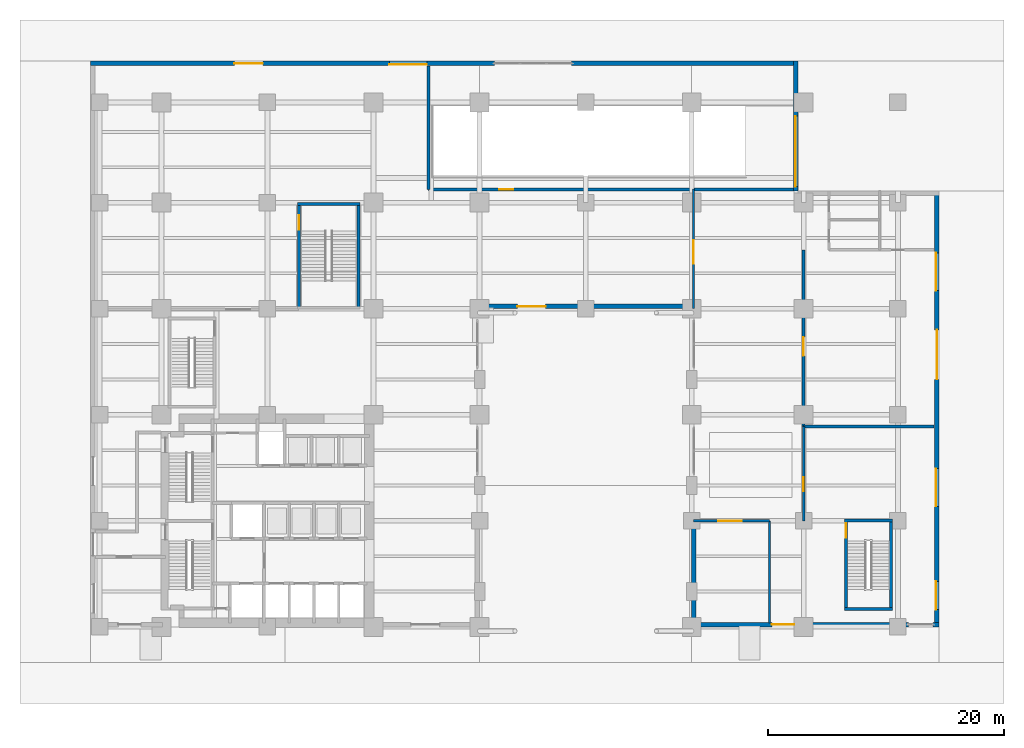
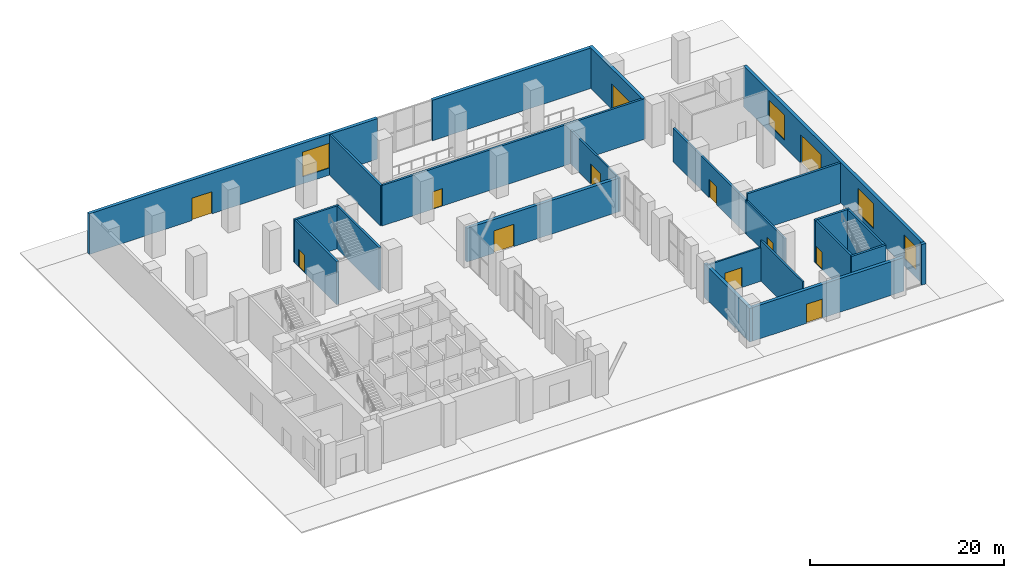
# One storey, part 13 of 17: 23 walls, 12 doors, 4 windows, 16 openings.
"""IFC4 building model written with IfcOpenShell, lengths in metres."""

import ifcopenshell
import ifcopenshell.guid

model = None  # the IFC model being written
_history = None  # IfcOwnerHistory: only IFC2X3 demands one
_inside = {}  # id of a spatial element -> (the spatial element, [elements in it])
_under = {}  # id of a project, library or spatial element -> (it, [spatial elements below it])
_declared = {}  # id of a project -> (the project, [libraries it declares])
_typed = {}  # id of a type object -> (the type object, [elements of that type])
_made_of = {}  # id of a material, layer set ... -> (it, [elements and type objects made of it])


def new_model(schema):
    """Start an empty IFC model of exactly this schema.

    Asked for "IFC4X3", IfcOpenShell would pick the latest addendum, in which some entities
    have other attributes; the version numbers below select the first issue.
    IFC2X3 requires an IfcOwnerHistory on every rooted entity: one is made here for all.
    """
    global model, _history
    if schema == "IFC4X3":
        model = ifcopenshell.file(schema_version=(4, 3, 0, 0))
    else:
        model = ifcopenshell.file(schema=schema)
    _inside.clear()
    _under.clear()
    _declared.clear()
    _typed.clear()
    _made_of.clear()
    _history = None
    if model.schema == "IFC2X3":
        org = make("IfcOrganization", Name="unknown")
        user = make(
            "IfcPersonAndOrganization",
            ThePerson=make("IfcPerson", FamilyName="unknown"),
            TheOrganization=org,
        )
        app = make(
            "IfcApplication",
            ApplicationDeveloper=org,
            Version="unknown",
            ApplicationFullName="unknown",
            ApplicationIdentifier="unknown",
        )
        _history = make(
            "IfcOwnerHistory",
            OwningUser=user,
            OwningApplication=app,
            ChangeAction="ADDED",
            CreationDate=0,
        )
    return model


def make(cls, **values):
    """One entity of the class cls with the attributes given. An attribute that is None is left unset."""
    return model.create_entity(
        cls, **{name: value for name, value in values.items() if value is not None}
    )


def rooted(cls, **values):
    """An entity with a GlobalId (a new one), such as an element, a storey or a relation."""
    return make(cls, GlobalId=ifcopenshell.guid.new(), OwnerHistory=_history, **values)


def si_unit(unit_type, name, prefix=None):
    """IfcSIUnit, for example si_unit("LENGTHUNIT", "METRE", prefix="MILLI")."""
    return make("IfcSIUnit", UnitType=unit_type, Prefix=prefix, Name=name)


def assignment(units):
    """IfcUnitAssignment: the units of a project."""
    return None if units is None else make("IfcUnitAssignment", Units=units)


def point(xyz):
    """IfcCartesianPoint."""
    return None if xyz is None else make("IfcCartesianPoint", Coordinates=xyz)


def direction(xyz):
    """IfcDirection."""
    return None if xyz is None else make("IfcDirection", DirectionRatios=xyz)


def frame(location, z_axis=None, x_axis=None):
    """IfcAxis2Placement3D, a coordinate frame: its origin and axes. An axis left out is left unset."""
    return make(
        "IfcAxis2Placement3D",
        Location=point(location),
        Axis=direction(z_axis),
        RefDirection=direction(x_axis),
    )


def frame_2d(location, x_axis=None):
    """IfcAxis2Placement2D, a coordinate frame in the plane: its origin and x axis."""
    return make(
        "IfcAxis2Placement2D", Location=point(location), RefDirection=direction(x_axis)
    )


def origin():
    """The frame at (0, 0, 0) with its axes left unset."""
    return frame((0.0, 0.0, 0.0))


def place(relative_to, where):
    """IfcLocalPlacement: puts the frame where relative to a parent placement (None: the world)."""
    return make(
        "IfcLocalPlacement", PlacementRelTo=relative_to, RelativePlacement=where
    )


def context(
    kind, dimensions, precision=None, world=None, true_north=None, identifier=None
):
    """IfcGeometricRepresentationContext, for example the 3D "Model" context."""
    return make(
        "IfcGeometricRepresentationContext",
        ContextIdentifier=identifier,
        ContextType=kind,
        CoordinateSpaceDimension=dimensions,
        Precision=precision,
        WorldCoordinateSystem=world,
        TrueNorth=true_north,
    )


def subcontext(parent, identifier, kind, view, scale=None):
    """IfcGeometricRepresentationSubContext, for example "Body" below "Model"."""
    return make(
        "IfcGeometricRepresentationSubContext",
        ContextIdentifier=identifier,
        ContextType=kind,
        ParentContext=parent,
        TargetScale=scale,
        TargetView=view,
    )


def project(units=None, contexts=None):
    """IfcProject with its units and contexts."""
    return rooted(
        "IfcProject",
        Name="project",
        RepresentationContexts=contexts,
        UnitsInContext=assignment(units),
    )


def spatial(cls, under=None, at=None, **own):
    """A site, building, storey or space (cls), placed at a placement, below another one or the project."""
    s = rooted(cls, ObjectPlacement=at, **own)
    if under is not None:
        _under.setdefault(under.id(), (under, []))[1].append(s)
    return s


def profile(cls, at=None, kind="AREA", **sizes):
    """A parametric profile (cls). Its sizes go by their IFC names, for example OverallWidth=200.0."""
    return make(cls, ProfileType=kind, Position=at, **sizes)


def rectangle(**sizes):
    """IfcRectangleProfileDef."""
    return profile("IfcRectangleProfileDef", **sizes)


def extrude(swept, where, along, depth):
    """IfcExtrudedAreaSolid: the profile swept, set in the frame where, extruded along a direction by depth."""
    return make(
        "IfcExtrudedAreaSolid",
        SweptArea=swept,
        Position=where,
        ExtrudedDirection=direction(along),
        Depth=depth,
    )


def shape(context_of_items, identifier, shape_type, items):
    """IfcShapeRepresentation: the items that make up one representation, for example the "Body"."""
    return make(
        "IfcShapeRepresentation",
        ContextOfItems=context_of_items,
        RepresentationIdentifier=identifier,
        RepresentationType=shape_type,
        Items=items,
    )


def material(Name=None, Category=None):
    """IfcMaterial."""
    return make("IfcMaterial", Name=Name, Category=Category)


def layer(
    of_material, thickness, ventilated=None, Name=None, Category=None, Priority=None
):
    """IfcMaterialLayer: one layer of a wall or slab, of a material (None: an air gap)."""
    return make(
        "IfcMaterialLayer",
        Material=of_material,
        LayerThickness=thickness,
        IsVentilated=ventilated,
        Name=Name,
        Category=Category,
        Priority=Priority,
    )


def layer_set(layers, Name=None):
    """IfcMaterialLayerSet."""
    return make("IfcMaterialLayerSet", MaterialLayers=layers, LayerSetName=Name)


def made_of(thing, what):
    """Note that an element or type object is made of a material, layer set ...; save() writes the relation."""
    if what is not None:
        _made_of.setdefault(what.id(), (what, []))[1].append(thing)
    return thing


def type_object(cls, material=None, **own):
    """A type object (cls), such as IfcWallType, which elements share."""
    return made_of(rooted(cls, **own), material)


def element(
    cls,
    number,
    at=None,
    inside=None,
    cuts=None,
    type_object=None,
    material=None,
    context=None,
    identifier="Body",
    shape_type=None,
    held_by="IfcProductDefinitionShape",
    body=None,
    shapes=None,
    **own,
):
    """One element of the class cls, such as IfcWall. Its Tag is "e" and its number.

    at: its placement. inside: the storey or other place that contains it. cuts: it is an
    opening in that element (IfcRelVoidsElement). A single representation is given by context,
    identifier, shape_type and body (its items); several are given by shapes. held_by: the class
    of the entity that holds the representations. save() writes the other relations.
    """
    e = rooted(cls, Tag="e%d" % number, ObjectPlacement=at, **own)
    if body is not None:
        shapes = [shape(context, identifier, shape_type, body)]
    if shapes is not None:
        e.Representation = make(held_by, Representations=shapes)
    if inside is not None:
        _inside.setdefault(inside.id(), (inside, []))[1].append(e)
    if cuts is not None:
        rooted(
            "IfcRelVoidsElement", RelatingBuildingElement=cuts, RelatedOpeningElement=e
        )
    if type_object is not None:
        _typed.setdefault(type_object.id(), (type_object, []))[1].append(e)
    return made_of(e, material)


def fill(opening, filler):
    """IfcRelFillsElement: the door or window that sits in an opening."""
    return rooted(
        "IfcRelFillsElement",
        RelatingOpeningElement=opening,
        RelatedBuildingElement=filler,
    )


def aggregate(whole, parts):
    """IfcRelAggregates: a whole, such as a stair, and the parts it consists of."""
    return rooted("IfcRelAggregates", RelatingObject=whole, RelatedObjects=parts)


def save(model, path):
    """Write the relations noted so far, then the file.

    IfcRelAggregates (storeys below a building ...), IfcRelContainedInSpatialStructure (elements
    in a storey), IfcRelDefinesByType, IfcRelAssociatesMaterial and IfcRelDeclares: one each for
    every whole, place, type object, material and project.
    """
    for whole, parts in _under.values():
        aggregate(whole, parts)
    for where, things in _inside.values():
        rooted(
            "IfcRelContainedInSpatialStructure",
            RelatedElements=things,
            RelatingStructure=where,
        )
    for kind, things in _typed.values():
        rooted("IfcRelDefinesByType", RelatedObjects=things, RelatingType=kind)
    for what, things in _made_of.values():
        rooted("IfcRelAssociatesMaterial", RelatedObjects=things, RelatingMaterial=what)
    for by, libraries in _declared.values():
        rooted("IfcRelDeclares", RelatingContext=by, RelatedDefinitions=libraries)
    model.write(path)


model = new_model("IFC4")

# Units and contexts
model_context = context("Model", 3, precision=1e-05, world=origin(), true_north=direction((0.0, 1.0)))
body_context = subcontext(model_context, "Body", "Model", "MODEL_VIEW")
ifc_project = project(units=[si_unit("LENGTHUNIT", "METRE"), si_unit("AREAUNIT", "SQUARE_METRE"), si_unit("VOLUMEUNIT", "CUBIC_METRE"), si_unit("PLANEANGLEUNIT", "RADIAN"), si_unit("MASSUNIT", "GRAM", prefix="KILO")], contexts=[model_context])

# Site, building, storey
site_placement = place(None, origin())
site = spatial("IfcSite", under=ifc_project, at=site_placement, CompositionType="ELEMENT")
building_placement = place(site_placement, origin())
building = spatial("IfcBuilding", under=site, at=building_placement, Name="Mawjdan Bourse Tower", CompositionType="ELEMENT")
storey_placement = place(building_placement, origin())
storey = spatial("IfcBuildingStorey", under=building, at=storey_placement, Name="L00", CompositionType="ELEMENT", Elevation=0.0)

# Wall, opening, door
ifc_material_1 = material(Name="Brick Masonry Terracotta Red", Category="masonry")
ifc_layer_1 = layer(ifc_material_1, 0.3798828125)
ifc_layer_set_1 = layer_set([ifc_layer_1], Name="Brick Masonry Terracotta Red")
wall_type_1 = type_object("IfcWallType", Name="WL-BRK-RED-380", PredefinedType="STANDARD", material=ifc_layer_set_1)
wall_1_placement = place(storey_placement, frame((33.0, 30.18994140625, 0.0), z_axis=(0.0, 0.0, 1.0), x_axis=(1.0, 0.0, 0.0)))
wall_1 = element("IfcWall", 1, at=wall_1_placement, inside=storey, type_object=wall_type_1, Name="L00 Podium Brick Wall ARCH-NB", PredefinedType="STANDARD", context=body_context, shape_type="SweptSolid", body=[
    extrude(rectangle(XDim=18.0, YDim=0.3798828125, at=frame_2d((9.0, 0.0))), origin(), (0.0, 0.0, 1.0), 4.23388671875),
])
opening_1_placement = place(wall_1_placement, frame((3.199951171875, 0.0, 0.0)))
opening_1 = element("IfcOpeningElement", 2, at=opening_1_placement, cuts=wall_1, Name="Opening ED-L00-03", PredefinedType="OPENING", context=body_context, shape_type="SweptSolid", body=[
    extrude(rectangle(XDim=2.39990234375, YDim=2.800048828125, at=frame_2d((1.199951171875, 1.39990234375))), frame((0.0, 0.199951171875, 0.0), z_axis=(0.0, -1.0, 0.0), x_axis=(1.0, 0.0, 0.0)), (0.0, 0.0, 1.0), 0.39990234375),
])
ifc_material_2 = material(Name="Thermally Broken Glazed Bronze Aluminium", Category="aluminium")
door_type_1 = type_object("IfcDoorType", Name="DR-ENT-2400", OperationType="DOUBLE_DOOR_SINGLE_SWING", PredefinedType="DOOR", material=ifc_material_2)
door_1_placement = place(opening_1_placement, frame((2.39990234375, 0.0, 0.0), z_axis=(0.0, 0.0, 1.0), x_axis=(-1.0, 0.0, 0.0)))
door_1 = element("IfcDoor", 3, at=door_1_placement, inside=storey, type_object=door_type_1, Name="L00 Archway Concourse North Entrance", OperationType="DOUBLE_DOOR_SINGLE_SWING", OverallHeight=2.800048828125, OverallWidth=2.39990234375, PredefinedType="DOOR", context=body_context, shape_type="SweptSolid", body=[
    extrude(rectangle(XDim=2.39990234375, YDim=2.800048828125, at=frame_2d((1.199951171875, 1.39990234375))), frame((0.0, 0.02490234375, 0.0), z_axis=(0.0, -1.0, 0.0), x_axis=(1.0, 0.0, 0.0)), (0.0, 0.0, 1.0), 0.050048828125),
])
fill(opening_1, door_1)

# Wall
wall_2_placement = place(storey_placement, frame((51.18994140625, 3.0, 0.0), z_axis=(0.0, 0.0, 1.0), x_axis=(0.0, 1.0, 0.0)))
element("IfcWall", 4, at=wall_2_placement, inside=storey, type_object=wall_type_1, Name="L00 Podium Brick Wall ARCH-EP", PredefinedType="STANDARD", context=body_context, shape_type="SweptSolid", body=[
    extrude(rectangle(XDim=9.39990234375, YDim=0.3798828125, at=frame_2d((4.699951171875, 0.0))), origin(), (0.0, 0.0, 1.0), 4.23388671875),
])

# Wall, opening, door
wall_3_placement = place(storey_placement, frame((51.0, 3.18994140625, 0.0), z_axis=(0.0, 0.0, 1.0), x_axis=(1.0, 0.0, 0.0)))
wall_3 = element("IfcWall", 5, at=wall_3_placement, inside=storey, type_object=wall_type_1, Name="L00 Podium Brick Wall SE-1", PredefinedType="STANDARD", context=body_context, shape_type="SweptSolid", body=[
    extrude(rectangle(XDim=18.3798828125, YDim=0.3798828125, at=frame_2d((9.18994140625, 0.0))), origin(), (0.0, 0.0, 1.0), 4.23388671875),
])
opening_2_placement = place(wall_3_placement, frame((6.800048828125, 0.0, 0.0)))
opening_2 = element("IfcOpeningElement", 6, at=opening_2_placement, cuts=wall_3, Name="Opening ED-L00-04", PredefinedType="OPENING", context=body_context, shape_type="SweptSolid", body=[
    extrude(rectangle(XDim=1.89990234375, YDim=2.39990234375, at=frame_2d((0.949951171875, 1.199951171875))), frame((0.0, 0.199951171875, 0.0), z_axis=(0.0, -1.0, 0.0), x_axis=(1.0, 0.0, 0.0)), (0.0, 0.0, 1.0), 0.39990234375),
])
ifc_material_3 = material(Name="Painted Galvanised Steel", Category="steel")
door_type_2 = type_object("IfcDoorType", Name="DR-EXT-1900", OperationType="DOUBLE_DOOR_SINGLE_SWING", PredefinedType="DOOR", material=ifc_material_3)
door_2_placement = place(opening_2_placement, frame((1.89990234375, 0.0, 0.0), z_axis=(0.0, 0.0, 1.0), x_axis=(-1.0, 0.0, 0.0)))
door_2 = element("IfcDoor", 7, at=door_2_placement, inside=storey, type_object=door_type_2, Name="L00 East Stair ST6 Final Exit Door", OperationType="DOUBLE_DOOR_SINGLE_SWING", OverallHeight=2.39990234375, OverallWidth=1.89990234375, PredefinedType="DOOR", context=body_context, shape_type="SweptSolid", body=[
    extrude(rectangle(XDim=1.89990234375, YDim=2.39990234375, at=frame_2d((0.949951171875, 1.199951171875))), frame((0.0, 0.02490234375, 0.0), z_axis=(0.0, -1.0, 0.0), x_axis=(1.0, 0.0, 0.0)), (0.0, 0.0, 1.0), 0.050048828125),
])
fill(opening_2, door_2)

# Wall
wall_4_placement = place(storey_placement, frame((71.469970703125, 3.18994140625, 0.0), z_axis=(0.0, 0.0, 1.0), x_axis=(1.0, 0.0, 0.0)))
element("IfcWall", 8, at=wall_4_placement, inside=storey, type_object=wall_type_1, Name="L00 Podium Brick Wall SE-2", PredefinedType="STANDARD", context=body_context, shape_type="SweptSolid", body=[
    extrude(rectangle(XDim=0.530029296875, YDim=0.3798828125, at=frame_2d((0.26513671875, 0.0))), origin(), (0.0, 0.0, 1.0), 5.10009765625),
])

# Wall, openings, door, windows
wall_5_placement = place(storey_placement, frame((71.81005859375, 3.3798828125, 0.0), z_axis=(0.0, 0.0, 1.0), x_axis=(0.0, 1.0, 0.0)))
wall_5 = element("IfcWall", 9, at=wall_5_placement, inside=storey, type_object=wall_type_1, Name="L00 Podium Brick Wall EAST-LO", PredefinedType="STANDARD", context=body_context, shape_type="SweptSolid", body=[
    extrude(rectangle(XDim=36.6201171875, YDim=0.3798828125, at=frame_2d((18.31005859375, 0.0))), origin(), (0.0, 0.0, 1.0), 5.10009765625),
])
opening_3_placement = place(wall_5_placement, frame((20.6201171875, 0.0, 0.0)))
opening_3 = element("IfcOpeningElement", 10, at=opening_3_placement, cuts=wall_5, Name="Opening SH-L00-LDK", PredefinedType="OPENING", context=body_context, shape_type="SweptSolid", body=[
    extrude(rectangle(XDim=4.199951171875, YDim=3.60009765625, at=frame_2d((2.10009765625, 1.800048828125))), frame((0.0, 0.199951171875, 0.0), z_axis=(0.0, -1.0, 0.0), x_axis=(1.0, 0.0, 0.0)), (0.0, 0.0, 1.0), 0.39990234375),
])
opening_4_placement = place(wall_5_placement, frame((1.088623046875, 0.0, 1.0)))
opening_4 = element("IfcOpeningElement", 11, at=opening_4_placement, cuts=wall_5, Name="Opening W-L00-01", PredefinedType="OPENING", context=body_context, shape_type="SweptSolid", body=[
    extrude(rectangle(XDim=2.39990234375, YDim=2.89990234375, at=frame_2d((1.199951171875, 1.449951171875))), frame((0.0, 0.199951171875, 0.0), z_axis=(0.0, -1.0, 0.0), x_axis=(1.0, 0.0, 0.0)), (0.0, 0.0, 1.0), 0.39990234375),
])
opening_5_placement = place(wall_5_placement, frame((9.84375, 0.0, 0.89990234375)))
opening_5 = element("IfcOpeningElement", 12, at=opening_5_placement, cuts=wall_5, Name="Opening W-L00-02", PredefinedType="OPENING", context=body_context, shape_type="SweptSolid", body=[
    extrude(rectangle(XDim=3.199951171875, YDim=3.10009765625, at=frame_2d((1.60009765625, 1.550048828125))), frame((0.0, 0.199951171875, 0.0), z_axis=(0.0, -1.0, 0.0), x_axis=(1.0, 0.0, 0.0)), (0.0, 0.0, 1.0), 0.39990234375),
])
opening_6_placement = place(wall_5_placement, frame((28.15380859375, 0.0, 0.89990234375)))
opening_6 = element("IfcOpeningElement", 13, at=opening_6_placement, cuts=wall_5, Name="Opening W-L00-03", PredefinedType="OPENING", context=body_context, shape_type="SweptSolid", body=[
    extrude(rectangle(XDim=3.199951171875, YDim=3.10009765625, at=frame_2d((1.60009765625, 1.550048828125))), frame((0.0, 0.199951171875, 0.0), z_axis=(0.0, -1.0, 0.0), x_axis=(1.0, 0.0, 0.0)), (0.0, 0.0, 1.0), 0.39990234375),
])
ifc_material_4 = material(Name="Insulated Steel Security Shutter", Category="steel")
door_type_3 = type_object("IfcDoorType", Name="DR-LDK-4200", OperationType="ROLLINGUP", PredefinedType="DOOR", material=ifc_material_4)
door_3_placement = place(opening_3_placement, frame((4.199951171875, 0.0, 0.0), z_axis=(0.0, 0.0, 1.0), x_axis=(-1.0, 0.0, 0.0)))
door_3 = element("IfcDoor", 14, at=door_3_placement, inside=storey, type_object=door_type_3, Name="L00 Bullion Loading Bay Security Shutter", OperationType="ROLLINGUP", OverallHeight=3.60009765625, OverallWidth=4.199951171875, PredefinedType="DOOR", context=body_context, shape_type="SweptSolid", body=[
    extrude(rectangle(XDim=4.199951171875, YDim=3.60009765625, at=frame_2d((2.10009765625, 1.800048828125))), frame((0.0, 0.02490234375, 0.0), z_axis=(0.0, -1.0, 0.0), x_axis=(1.0, 0.0, 0.0)), (0.0, 0.0, 1.0), 0.050048828125),
])
fill(opening_3, door_3)
ifc_material_5 = material(Name="Solar-Control Clear Double Glazing", Category="glass")
window_type_1 = type_object("IfcWindowType", Name="WN-POD-2400", PartitioningType="SINGLE_PANEL", PredefinedType="WINDOW", material=ifc_material_5)
window_1_placement = place(opening_4_placement, origin())
window_1 = element("IfcWindow", 15, at=window_1_placement, inside=storey, type_object=window_type_1, Name="L00 Deep-Set Masonry Window W-L00-01", OverallHeight=2.89990234375, OverallWidth=2.39990234375, PartitioningType="SINGLE_PANEL", PredefinedType="WINDOW", context=body_context, shape_type="SweptSolid", body=[
    extrude(rectangle(XDim=2.39990234375, YDim=2.89990234375, at=frame_2d((1.199951171875, 1.449951171875))), frame((0.0, 0.110107421875, 0.0), z_axis=(0.0, -1.0, 0.0), x_axis=(1.0, 0.0, 0.0)), (0.0, 0.0, 1.0), 0.06005859375),
])
fill(opening_4, window_1)
window_type_2 = type_object("IfcWindowType", Name="WN-POD-3200", PartitioningType="SINGLE_PANEL", PredefinedType="WINDOW", material=ifc_material_5)
window_2_placement = place(opening_5_placement, origin())
window_2 = element("IfcWindow", 16, at=window_2_placement, inside=storey, type_object=window_type_2, Name="L00 Deep-Set Masonry Window W-L00-02", OverallHeight=3.10009765625, OverallWidth=3.199951171875, PartitioningType="SINGLE_PANEL", PredefinedType="WINDOW", context=body_context, shape_type="SweptSolid", body=[
    extrude(rectangle(XDim=3.199951171875, YDim=3.10009765625, at=frame_2d((1.60009765625, 1.550048828125))), frame((0.0, 0.110107421875, 0.0), z_axis=(0.0, -1.0, 0.0), x_axis=(1.0, 0.0, 0.0)), (0.0, 0.0, 1.0), 0.06005859375),
])
fill(opening_5, window_2)
window_3_placement = place(opening_6_placement, origin())
window_3 = element("IfcWindow", 17, at=window_3_placement, inside=storey, type_object=window_type_2, Name="L00 Deep-Set Masonry Window W-L00-03", OverallHeight=3.10009765625, OverallWidth=3.199951171875, PartitioningType="SINGLE_PANEL", PredefinedType="WINDOW", context=body_context, shape_type="SweptSolid", body=[
    extrude(rectangle(XDim=3.199951171875, YDim=3.10009765625, at=frame_2d((1.60009765625, 1.550048828125))), frame((0.0, 0.110107421875, 0.0), z_axis=(0.0, -1.0, 0.0), x_axis=(1.0, 0.0, 0.0)), (0.0, 0.0, 1.0), 0.06005859375),
])
fill(opening_6, window_3)

# Wall, opening, door
wall_6_placement = place(storey_placement, frame((59.81005859375, 40.0, 0.0), z_axis=(0.0, 0.0, 1.0), x_axis=(0.0, 1.0, 0.0)))
wall_6 = element("IfcWall", 18, at=wall_6_placement, inside=storey, type_object=wall_type_1, Name="L00 Podium Brick Wall RAMP-PORTAL", PredefinedType="STANDARD", context=body_context, shape_type="SweptSolid", body=[
    extrude(rectangle(XDim=11.0, YDim=0.3798828125, at=frame_2d((5.5, 0.0))), origin(), (0.0, 0.0, 1.0), 5.10009765625),
])
opening_7_placement = place(wall_6_placement, frame((0.35009765625, 0.0, 0.0)))
opening_7 = element("IfcOpeningElement", 19, at=opening_7_placement, cuts=wall_6, Name="Opening RS-L00-VEH", PredefinedType="OPENING", context=body_context, shape_type="SweptSolid", body=[
    extrude(rectangle(XDim=6.0, YDim=3.199951171875, at=frame_2d((3.0, 1.60009765625))), frame((0.0, 0.199951171875, 0.0), z_axis=(0.0, -1.0, 0.0), x_axis=(1.0, 0.0, 0.0)), (0.0, 0.0, 1.0), 0.39990234375),
])
ifc_material_6 = material(Name="Insulated Steel Roller Shutter", Category="steel")
door_type_4 = type_object("IfcDoorType", Name="DR-VEH-6000", OperationType="ROLLINGUP", PredefinedType="DOOR", material=ifc_material_6)
door_4_placement = place(opening_7_placement, frame((6.0, 0.0, 0.0), z_axis=(0.0, 0.0, 1.0), x_axis=(-1.0, 0.0, 0.0)))
door_4 = element("IfcDoor", 20, at=door_4_placement, inside=storey, type_object=door_type_4, Name="L00 Basement Car-Park Ramp Roller Shutter", OperationType="ROLLINGUP", OverallHeight=3.199951171875, OverallWidth=6.0, PredefinedType="DOOR", context=body_context, shape_type="SweptSolid", body=[
    extrude(rectangle(XDim=6.0, YDim=3.199951171875, at=frame_2d((3.0, 1.60009765625))), frame((0.0, 0.02490234375, 0.0), z_axis=(0.0, -1.0, 0.0), x_axis=(1.0, 0.0, 0.0)), (0.0, 0.0, 1.0), 0.050048828125),
])
fill(opening_7, door_4)

# Wall
wall_7_placement = place(storey_placement, frame((60.0, 50.81005859375, 0.0), z_axis=(0.0, 0.0, 1.0), x_axis=(-1.0, 0.0, 0.0)))
element("IfcWall", 21, at=wall_7_placement, inside=storey, type_object=wall_type_1, Name="L00 Podium Brick Wall NE-1", PredefinedType="STANDARD", context=body_context, shape_type="SweptSolid", body=[
    extrude(rectangle(XDim=19.179931640625, YDim=0.3798828125, at=frame_2d((9.58984375, 0.0))), origin(), (0.0, 0.0, 1.0), 5.10009765625),
])

# Wall, openings, door, window
wall_8_placement = place(storey_placement, frame((34.280029296875, 50.81005859375, 0.0), z_axis=(0.0, 0.0, 1.0), x_axis=(-1.0, 0.0, 0.0)))
wall_8 = element("IfcWall", 22, at=wall_8_placement, inside=storey, type_object=wall_type_1, Name="L00 Podium Brick Wall NW-1", PredefinedType="STANDARD", context=body_context, shape_type="SweptSolid", body=[
    extrude(rectangle(XDim=34.280029296875, YDim=0.3798828125, at=frame_2d((17.14013671875, 0.0))), origin(), (0.0, 0.0, 1.0), 5.10009765625),
])
opening_8_placement = place(wall_8_placement, frame((19.679931640625, 0.0, 0.0)))
opening_8 = element("IfcOpeningElement", 23, at=opening_8_placement, cuts=wall_8, Name="Opening ED-L00-05", PredefinedType="OPENING", context=body_context, shape_type="SweptSolid", body=[
    extrude(rectangle(XDim=2.39990234375, YDim=2.800048828125, at=frame_2d((1.199951171875, 1.39990234375))), frame((0.0, 0.199951171875, 0.0), z_axis=(0.0, -1.0, 0.0), x_axis=(1.0, 0.0, 0.0)), (0.0, 0.0, 1.0), 0.39990234375),
])
opening_9_placement = place(wall_8_placement, frame((5.74560546875, 0.0, 0.89990234375)))
opening_9 = element("IfcOpeningElement", 24, at=opening_9_placement, cuts=wall_8, Name="Opening W-L00-04", PredefinedType="OPENING", context=body_context, shape_type="SweptSolid", body=[
    extrude(rectangle(XDim=3.199951171875, YDim=3.10009765625, at=frame_2d((1.60009765625, 1.550048828125))), frame((0.0, 0.199951171875, 0.0), z_axis=(0.0, -1.0, 0.0), x_axis=(1.0, 0.0, 0.0)), (0.0, 0.0, 1.0), 0.39990234375),
])
door_5_placement = place(opening_8_placement, frame((2.39990234375, 0.0, 0.0), z_axis=(0.0, 0.0, 1.0), x_axis=(-1.0, 0.0, 0.0)))
door_5 = element("IfcDoor", 25, at=door_5_placement, inside=storey, type_object=door_type_1, Name="L00 North-West Boulevard Entrance", OperationType="DOUBLE_DOOR_SINGLE_SWING", OverallHeight=2.800048828125, OverallWidth=2.39990234375, PredefinedType="DOOR", context=body_context, shape_type="SweptSolid", body=[
    extrude(rectangle(XDim=2.39990234375, YDim=2.800048828125, at=frame_2d((1.199951171875, 1.39990234375))), frame((0.0, 0.02490234375, 0.0), z_axis=(0.0, -1.0, 0.0), x_axis=(1.0, 0.0, 0.0)), (0.0, 0.0, 1.0), 0.050048828125),
])
fill(opening_8, door_5)
window_4_placement = place(opening_9_placement, origin())
window_4 = element("IfcWindow", 26, at=window_4_placement, inside=storey, type_object=window_type_2, Name="L00 Deep-Set Masonry Window W-L00-04", OverallHeight=3.10009765625, OverallWidth=3.199951171875, PartitioningType="SINGLE_PANEL", PredefinedType="WINDOW", context=body_context, shape_type="SweptSolid", body=[
    extrude(rectangle(XDim=3.199951171875, YDim=3.10009765625, at=frame_2d((1.60009765625, 1.550048828125))), frame((0.0, 0.110107421875, 0.0), z_axis=(0.0, -1.0, 0.0), x_axis=(1.0, 0.0, 0.0)), (0.0, 0.0, 1.0), 0.06005859375),
])
fill(opening_9, window_4)

# Wall, opening, door
ifc_material_7 = material(Name="Gypsum Fireboard Assembly")
ifc_layer_2 = layer(ifc_material_7, 0.199951171875)
ifc_layer_set_2 = layer_set([ifc_layer_2], Name="Gypsum Fireboard Assembly")
wall_type_2 = type_object("IfcWallType", Name="WL-CMP-200", PredefinedType="PARTITIONING", material=ifc_layer_set_2)
wall_9_placement = place(storey_placement, frame((51.14990234375, 30.0, 0.0), z_axis=(0.0, 0.0, 1.0), x_axis=(0.0, 1.0, 0.0)))
wall_9 = element("IfcWall", 27, at=wall_9_placement, inside=storey, type_object=wall_type_2, Name="L00 Bridge East Portal Wall", PredefinedType="PARTITIONING", context=body_context, shape_type="SweptSolid", body=[
    extrude(rectangle(XDim=10.14990234375, YDim=0.199951171875, at=frame_2d((5.074951171875, 0.0))), origin(), (0.0, 0.0, 1.0), 4.23388671875),
])
opening_10_placement = place(wall_9_placement, frame((3.800048828125, 0.0, 0.0)))
opening_10 = element("IfcOpeningElement", 28, at=opening_10_placement, cuts=wall_9, Name="Opening D-L00-27", PredefinedType="OPENING", context=body_context, shape_type="SweptSolid", body=[
    extrude(rectangle(XDim=2.0, YDim=2.5, at=frame_2d((1.0, 1.25))), frame((0.0, 0.10986328125, 0.0), z_axis=(0.0, -1.0, 0.0), x_axis=(1.0, 0.0, 0.0)), (0.0, 0.0, 1.0), 0.219970703125),
])
ifc_material_8 = material(Name="Acoustic Veneered Timber", Category="wood")
door_type_5 = type_object("IfcDoorType", Name="DR-ASM-2000", OperationType="DOUBLE_DOOR_SINGLE_SWING", PredefinedType="DOOR", material=ifc_material_8)
door_6_placement = place(opening_10_placement, origin())
door_6 = element("IfcDoor", 29, at=door_6_placement, inside=storey, type_object=door_type_5, Name="L00 East Clearing Foyer Bridge Door D-L00-27", OperationType="DOUBLE_DOOR_SINGLE_SWING", OverallHeight=2.5, OverallWidth=2.0, PredefinedType="DOOR", context=body_context, shape_type="SweptSolid", body=[
    extrude(rectangle(XDim=2.0, YDim=2.5, at=frame_2d((1.0, 1.25))), frame((0.0, 0.02490234375, 0.0), z_axis=(0.0, -1.0, 0.0), x_axis=(1.0, 0.0, 0.0)), (0.0, 0.0, 1.0), 0.050048828125),
])
fill(opening_10, door_6)

wall_10_placement = place(storey_placement, frame((60.5, 12.0, 0.0), z_axis=(0.0, 0.0, 1.0), x_axis=(0.0, 1.0, 0.0)))
wall_10 = element("IfcWall", 30, at=wall_10_placement, inside=storey, type_object=wall_type_2, Name="L00 ST6 Lobby West Wall", PredefinedType="PARTITIONING", context=body_context, shape_type="SweptSolid", body=[
    extrude(rectangle(XDim=8.0, YDim=0.199951171875, at=frame_2d((4.0, 0.0))), origin(), (0.0, 0.0, 1.0), 4.23388671875),
])
opening_11_placement = place(wall_10_placement, frame((2.5, 0.0, 0.0)))
opening_11 = element("IfcOpeningElement", 31, at=opening_11_placement, cuts=wall_10, Name="Opening FD-L00-28", PredefinedType="OPENING", context=body_context, shape_type="SweptSolid", body=[
    extrude(rectangle(XDim=1.199951171875, YDim=2.199951171875, at=frame_2d((0.60009765625, 1.10009765625))), frame((0.0, 0.10986328125, 0.0), z_axis=(0.0, -1.0, 0.0), x_axis=(1.0, 0.0, 0.0)), (0.0, 0.0, 1.0), 0.219970703125),
])
ifc_material_9 = material(Name="Fire-Rated Steel Leaf", Category="steel")
door_type_6 = type_object("IfcDoorType", Name="FD-FFL-1200", OperationType="NOTDEFINED", PredefinedType="DOOR", material=ifc_material_9)
door_7_placement = place(opening_11_placement, origin())
door_7 = element("IfcDoor", 32, at=door_7_placement, inside=storey, type_object=door_type_6, Name="L00 ST6 Lobby Foyer Door FD-L00-28", OperationType="SINGLE_SWING_RIGHT", OverallHeight=2.199951171875, OverallWidth=1.199951171875, PredefinedType="DOOR", context=body_context, shape_type="SweptSolid", body=[
    extrude(rectangle(XDim=1.199951171875, YDim=2.199951171875, at=frame_2d((0.60009765625, 1.10009765625))), frame((0.0, 0.02490234375, 0.0), z_axis=(0.0, -1.0, 0.0), x_axis=(1.0, 0.0, 0.0)), (0.0, 0.0, 1.0), 0.050048828125),
])
fill(opening_11, door_7)

wall_11_placement = place(storey_placement, frame((51.14990234375, 12.0, 0.0), z_axis=(0.0, 0.0, 1.0), x_axis=(1.0, 0.0, 0.0)))
wall_11 = element("IfcWall", 33, at=wall_11_placement, inside=storey, type_object=wall_type_2, Name="L00 Banking North Wall", PredefinedType="PARTITIONING", context=body_context, shape_type="SweptSolid", body=[
    extrude(rectangle(XDim=6.4501953125, YDim=0.199951171875, at=frame_2d((3.22509765625, 0.0))), origin(), (0.0, 0.0, 1.0), 4.23388671875),
])
opening_12_placement = place(wall_11_placement, frame((2.10009765625, 0.0, 0.0)))
opening_12 = element("IfcOpeningElement", 34, at=opening_12_placement, cuts=wall_11, Name="Opening D-L00-29", PredefinedType="OPENING", context=body_context, shape_type="SweptSolid", body=[
    extrude(rectangle(XDim=2.0, YDim=2.5, at=frame_2d((1.0, 1.25))), frame((0.0, 0.10986328125, 0.0), z_axis=(0.0, -1.0, 0.0), x_axis=(1.0, 0.0, 0.0)), (0.0, 0.0, 1.0), 0.219970703125),
])
door_8_placement = place(opening_12_placement, origin())
door_8 = element("IfcDoor", 35, at=door_8_placement, inside=storey, type_object=door_type_5, Name="L00 Banking Branch Door D-L00-29", OperationType="DOUBLE_DOOR_SINGLE_SWING", OverallHeight=2.5, OverallWidth=2.0, PredefinedType="DOOR", context=body_context, shape_type="SweptSolid", body=[
    extrude(rectangle(XDim=2.0, YDim=2.5, at=frame_2d((1.0, 1.25))), frame((0.0, 0.02490234375, 0.0), z_axis=(0.0, -1.0, 0.0), x_axis=(1.0, 0.0, 0.0)), (0.0, 0.0, 1.0), 0.050048828125),
])
fill(opening_12, door_8)

# Walls
wall_12_placement = place(storey_placement, frame((57.60009765625, 3.35009765625, 0.0), z_axis=(0.0, 0.0, 1.0), x_axis=(0.0, 1.0, 0.0)))
element("IfcWall", 36, at=wall_12_placement, inside=storey, type_object=wall_type_2, Name="L00 Banking East Corridor Wall", PredefinedType="PARTITIONING", context=body_context, shape_type="SweptSolid", body=[
    extrude(rectangle(XDim=8.64990234375, YDim=0.199951171875, at=frame_2d((4.324951171875, 0.0))), origin(), (0.0, 0.0, 1.0), 5.090087890625),
])
ifc_material_10 = material(Name="Concrete C50/60", Category="concrete")
ifc_layer_3 = layer(ifc_material_10, 0.25)
ifc_layer_set_3 = layer_set([ifc_layer_3], Name="Concrete C50/60")
wall_type_3 = type_object("IfcWallType", Name="WL-SHFT-250", PredefinedType="PARTITIONING", material=ifc_layer_set_3)
wall_13_placement = place(storey_placement, frame((60.5, 20.0, 0.0), z_axis=(0.0, 0.0, 1.0), x_axis=(1.0, 0.0, 0.0)))
element("IfcWall", 37, at=wall_13_placement, inside=storey, type_object=wall_type_3, Name="L00 Loading Bay South Wall", PredefinedType="PARTITIONING", context=body_context, shape_type="SweptSolid", body=[
    extrude(rectangle(XDim=11.080078125, YDim=0.25, at=frame_2d((5.5400390625, 0.0))), origin(), (0.0, 0.0, 1.0), 5.090087890625),
])

# Wall, opening, door
wall_14_placement = place(storey_placement, frame((60.5, 20.0, 0.0), z_axis=(0.0, 0.0, 1.0), x_axis=(0.0, 1.0, 0.0)))
wall_14 = element("IfcWall", 38, at=wall_14_placement, inside=storey, type_object=wall_type_3, Name="L00 Loading Bay West Security Wall", PredefinedType="PARTITIONING", context=body_context, shape_type="SweptSolid", body=[
    extrude(rectangle(XDim=15.0, YDim=0.25, at=frame_2d((7.5, 0.0))), origin(), (0.0, 0.0, 1.0), 4.23388671875),
])
opening_13_placement = place(wall_14_placement, frame((6.0, 0.0, 0.0)))
opening_13 = element("IfcOpeningElement", 39, at=opening_13_placement, cuts=wall_14, Name="Opening LDK-L00-30", PredefinedType="OPENING", context=body_context, shape_type="SweptSolid", body=[
    extrude(rectangle(XDim=1.60009765625, YDim=2.300048828125, at=frame_2d((0.800048828125, 1.14990234375))), frame((0.0, 0.135009765625, 0.0), z_axis=(0.0, -1.0, 0.0), x_axis=(1.0, 0.0, 0.0)), (0.0, 0.0, 1.0), 0.27001953125),
])
ifc_material_11 = material(Name="Fire-Rated Acoustic Steel", Category="steel")
door_type_7 = type_object("IfcDoorType", Name="FD-PLT-1600", OperationType="DOUBLE_DOOR_SINGLE_SWING", PredefinedType="DOOR", material=ifc_material_11)
door_9_placement = place(opening_13_placement, origin())
door_9 = element("IfcDoor", 40, at=door_9_placement, inside=storey, type_object=door_type_7, Name="L00 Loading Bay Security Door LDK-L00-30", OperationType="DOUBLE_DOOR_SINGLE_SWING", OverallHeight=2.300048828125, OverallWidth=1.60009765625, PredefinedType="DOOR", context=body_context, shape_type="SweptSolid", body=[
    extrude(rectangle(XDim=1.60009765625, YDim=2.300048828125, at=frame_2d((0.800048828125, 1.14990234375))), frame((0.0, 0.02490234375, 0.0), z_axis=(0.0, -1.0, 0.0), x_axis=(1.0, 0.0, 0.0)), (0.0, 0.0, 1.0), 0.050048828125),
])
fill(opening_13, door_9)

wall_15_placement = place(storey_placement, frame((28.64990234375, 40.10009765625, 0.0), z_axis=(0.0, 0.0, 1.0), x_axis=(1.0, 0.0, 0.0)))
wall_15 = element("IfcWall", 41, at=wall_15_placement, inside=storey, type_object=wall_type_3, Name="L00 Ramp Bay South Fire Wall", PredefinedType="PARTITIONING", context=body_context, shape_type="SweptSolid", body=[
    extrude(rectangle(XDim=31.25, YDim=0.25, at=frame_2d((15.625, 0.0))), origin(), (0.0, 0.0, 1.0), 5.090087890625),
])
opening_14_placement = place(wall_15_placement, frame((6.0, 0.0, 0.0)))
opening_14 = element("IfcOpeningElement", 42, at=opening_14_placement, cuts=wall_15, Name="Opening FD-L00-34", PredefinedType="OPENING", context=body_context, shape_type="SweptSolid", body=[
    extrude(rectangle(XDim=1.199951171875, YDim=2.199951171875, at=frame_2d((0.60009765625, 1.10009765625))), frame((0.0, 0.135009765625, 0.0), z_axis=(0.0, -1.0, 0.0), x_axis=(1.0, 0.0, 0.0)), (0.0, 0.0, 1.0), 0.27001953125),
])
door_10_placement = place(opening_14_placement, frame((1.199951171875, 0.0, 0.0), z_axis=(0.0, 0.0, 1.0), x_axis=(-1.0, 0.0, 0.0)))
door_10 = element("IfcDoor", 43, at=door_10_placement, inside=storey, type_object=door_type_6, Name="L00 Ramp Vestibule Pedestrian Door FD-L00-34", OperationType="SINGLE_SWING_RIGHT", OverallHeight=2.199951171875, OverallWidth=1.199951171875, PredefinedType="DOOR", context=body_context, shape_type="SweptSolid", body=[
    extrude(rectangle(XDim=1.199951171875, YDim=2.199951171875, at=frame_2d((0.60009765625, 1.10009765625))), frame((0.0, 0.02490234375, 0.0), z_axis=(0.0, -1.0, 0.0), x_axis=(1.0, 0.0, 0.0)), (0.0, 0.0, 1.0), 0.050048828125),
])
fill(opening_14, door_10)

# Walls
wall_16_placement = place(storey_placement, frame((28.64990234375, 40.10009765625, 0.0), z_axis=(0.0, 0.0, 1.0), x_axis=(0.0, 1.0, 0.0)))
element("IfcWall", 44, at=wall_16_placement, inside=storey, type_object=wall_type_3, Name="L00 Ramp Bay West Fire Wall", PredefinedType="PARTITIONING", context=body_context, shape_type="SweptSolid", body=[
    extrude(rectangle(XDim=10.47998046875, YDim=0.25, at=frame_2d((5.239990234375, 0.0))), origin(), (0.0, 0.0, 1.0), 5.090087890625),
])
ifc_layer_4 = layer(ifc_material_10, 0.25)
ifc_layer_set_4 = layer_set([ifc_layer_4], Name="Concrete C50/60")
wall_type_4 = type_object("IfcWallType", Name="WL-STRW-250", PredefinedType="SHEAR", material=ifc_layer_set_4)
for number, where, z_axis, x_axis, name in (
    (45, (63.955078125, 4.530029296875, 0.0), (0.0, 0.0, 1.0), (1.0, 0.0, 0.0), "L00 ST6 South Shaft Wall"),
    (46, (63.955078125, 12.030029296875, 0.0), (0.0, 0.0, 1.0), (1.0, 0.0, 0.0), "L00 ST6 North Shaft Wall"),
):
    element("IfcWall", number, at=place(storey_placement, frame(where, z_axis=z_axis, x_axis=x_axis)), inside=storey, type_object=wall_type_4, Name=name, PredefinedType="SHEAR", context=body_context, shape_type="SweptSolid", body=[
        extrude(rectangle(XDim=4.08984375, YDim=0.25, at=frame_2d((2.044921875, 0.0))), origin(), (0.0, 0.0, 1.0), 5.39990234375),
    ])
wall_17_placement = place(storey_placement, frame((67.919921875, 4.530029296875, 0.0), z_axis=(0.0, 0.0, 1.0), x_axis=(0.0, 1.0, 0.0)))
element("IfcWall", 47, at=wall_17_placement, inside=storey, type_object=wall_type_4, Name="L00 ST6 East Shaft Wall", PredefinedType="SHEAR", context=body_context, shape_type="SweptSolid", body=[
    extrude(rectangle(XDim=7.5, YDim=0.25, at=frame_2d((3.75, 0.0))), origin(), (0.0, 0.0, 1.0), 5.39990234375),
])

# Wall, opening, door
wall_18_placement = place(storey_placement, frame((64.080078125, 4.530029296875, 0.0), z_axis=(0.0, 0.0, 1.0), x_axis=(0.0, 1.0, 0.0)))
wall_18 = element("IfcWall", 48, at=wall_18_placement, inside=storey, type_object=wall_type_4, Name="L00 ST6 West Shaft Wall", PredefinedType="SHEAR", context=body_context, shape_type="SweptSolid", body=[
    extrude(rectangle(XDim=7.5, YDim=0.25, at=frame_2d((3.75, 0.0))), origin(), (0.0, 0.0, 1.0), 5.39990234375),
])
opening_15_placement = place(wall_18_placement, frame((6.02001953125, 0.0, 0.0)))
opening_15 = element("IfcOpeningElement", 49, at=opening_15_placement, cuts=wall_18, Name="Opening SD-L00-23", PredefinedType="OPENING", context=body_context, shape_type="SweptSolid", body=[
    extrude(rectangle(XDim=1.25, YDim=2.199951171875, at=frame_2d((0.625, 1.10009765625))), frame((0.0, 0.135009765625, 0.0), z_axis=(0.0, -1.0, 0.0), x_axis=(1.0, 0.0, 0.0)), (0.0, 0.0, 1.0), 0.27001953125),
])
door_type_8 = type_object("IfcDoorType", Name="FD-ST-1250", OperationType="NOTDEFINED", PredefinedType="DOOR", material=ifc_material_9)
door_11_placement = place(opening_15_placement, origin())
door_11 = element("IfcDoor", 50, at=door_11_placement, inside=storey, type_object=door_type_8, Name="L00 Stair ST6 Fire Door SD-L00-23", OperationType="SINGLE_SWING_LEFT", OverallHeight=2.199951171875, OverallWidth=1.25, PredefinedType="DOOR", context=body_context, shape_type="SweptSolid", body=[
    extrude(rectangle(XDim=1.25, YDim=2.199951171875, at=frame_2d((0.625, 1.10009765625))), frame((0.0, 0.02490234375, 0.0), z_axis=(0.0, -1.0, 0.0), x_axis=(1.0, 0.0, 0.0)), (0.0, 0.0, 1.0), 0.050048828125),
])
fill(opening_15, door_11)

# Walls
wall_19_placement = place(storey_placement, frame((17.554931640625, 38.8701171875, 0.0), z_axis=(0.0, 0.0, 1.0), x_axis=(1.0, 0.0, 0.0)))
element("IfcWall", 51, at=wall_19_placement, inside=storey, type_object=wall_type_4, Name="L00 ST4 North Shaft Wall", PredefinedType="SHEAR", context=body_context, shape_type="SweptSolid", body=[
    extrude(rectangle(XDim=5.2900390625, YDim=0.25, at=frame_2d((2.64501953125, 0.0))), origin(), (0.0, 0.0, 1.0), 5.39990234375),
])
wall_20_placement = place(storey_placement, frame((22.719970703125, 30.080078125, 0.0), z_axis=(0.0, 0.0, 1.0), x_axis=(0.0, 1.0, 0.0)))
element("IfcWall", 52, at=wall_20_placement, inside=storey, type_object=wall_type_4, Name="L00 ST4 East Shaft Wall", PredefinedType="SHEAR", context=body_context, shape_type="SweptSolid", body=[
    extrude(rectangle(XDim=8.7900390625, YDim=0.25, at=frame_2d((4.39501953125, 0.0))), origin(), (0.0, 0.0, 1.0), 5.39990234375),
])

# Wall, opening, door
wall_21_placement = place(storey_placement, frame((17.679931640625, 30.080078125, 0.0), z_axis=(0.0, 0.0, 1.0), x_axis=(0.0, 1.0, 0.0)))
wall_21 = element("IfcWall", 53, at=wall_21_placement, inside=storey, type_object=wall_type_4, Name="L00 ST4 West Shaft Wall", PredefinedType="SHEAR", context=body_context, shape_type="SweptSolid", body=[
    extrude(rectangle(XDim=8.7900390625, YDim=0.25, at=frame_2d((4.39501953125, 0.0))), origin(), (0.0, 0.0, 1.0), 5.39990234375),
])
opening_16_placement = place(wall_21_placement, frame((6.60009765625, 0.0, 0.0)))
opening_16 = element("IfcOpeningElement", 54, at=opening_16_placement, cuts=wall_21, Name="Opening SD-L00-24", PredefinedType="OPENING", context=body_context, shape_type="SweptSolid", body=[
    extrude(rectangle(XDim=1.25, YDim=2.199951171875, at=frame_2d((0.625, 1.10009765625))), frame((0.0, 0.135009765625, 0.0), z_axis=(0.0, -1.0, 0.0), x_axis=(1.0, 0.0, 0.0)), (0.0, 0.0, 1.0), 0.27001953125),
])
door_12_placement = place(opening_16_placement, origin())
door_12 = element("IfcDoor", 55, at=door_12_placement, inside=storey, type_object=door_type_8, Name="L00 Stair ST4 Fire Door SD-L00-24", OperationType="SINGLE_SWING_RIGHT", OverallHeight=2.199951171875, OverallWidth=1.25, PredefinedType="DOOR", context=body_context, shape_type="SweptSolid", body=[
    extrude(rectangle(XDim=1.25, YDim=2.199951171875, at=frame_2d((0.625, 1.10009765625))), frame((0.0, 0.02490234375, 0.0), z_axis=(0.0, -1.0, 0.0), x_axis=(1.0, 0.0, 0.0)), (0.0, 0.0, 1.0), 0.050048828125),
])
fill(opening_16, door_12)

save(model, "model.ifc")
